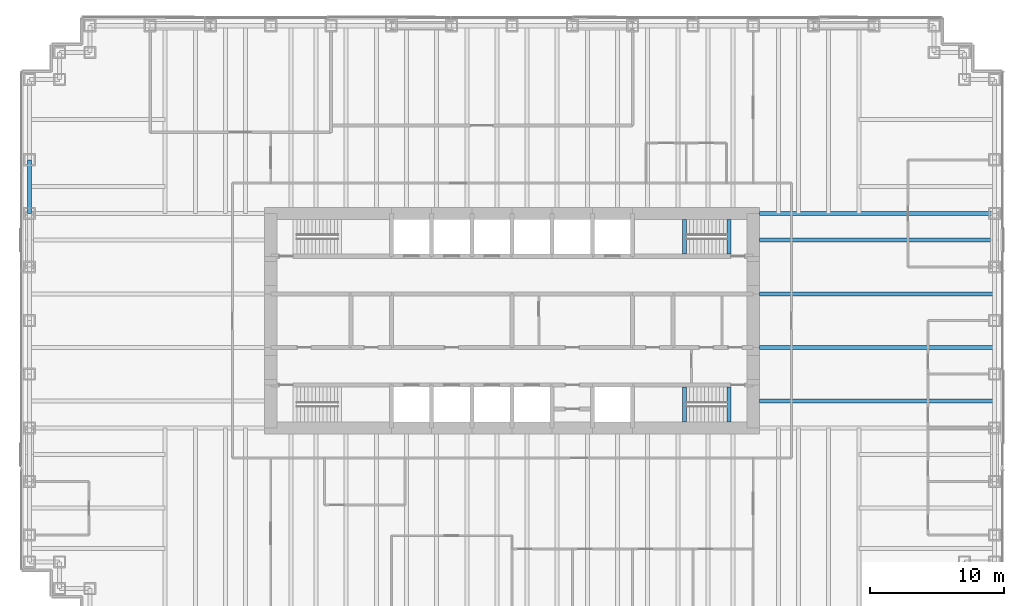
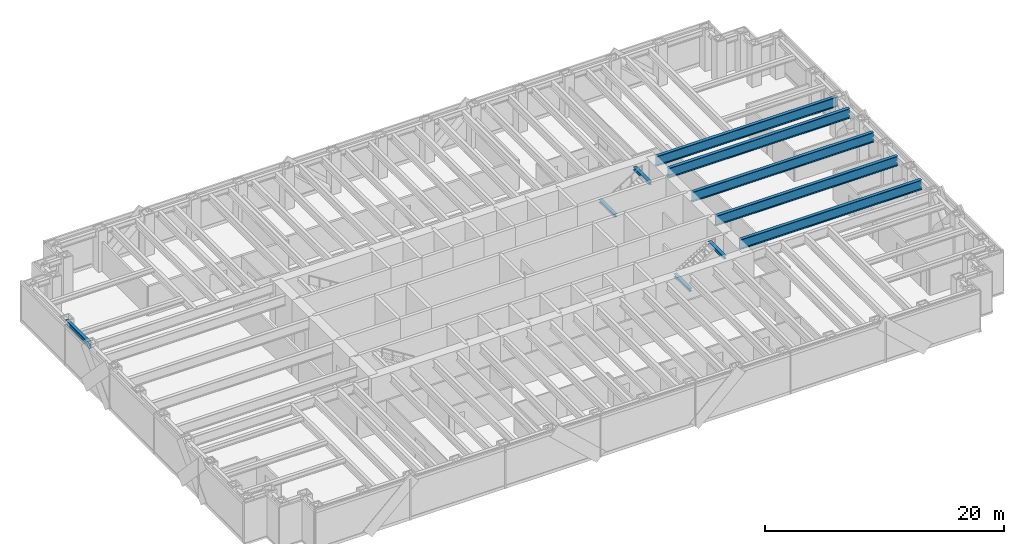
# One storey, part 5 of 17: 10 beams.
"""IFC4 building model written with IfcOpenShell, lengths in metres."""

from ifc_helpers import new_model, si_unit, direction, frame, origin, origin_2d, place, context, subcontext, project, spatial, i_section, extrude, material, material_profile, profile_set, type_object, element, save


model = new_model("IFC4")

# Units and contexts
model_context = context("Model", 3, precision=1e-05, world=origin(), true_north=direction((0.0, 1.0)))
body_context = subcontext(model_context, "Body", "Model", "MODEL_VIEW")
ifc_project = project(units=[si_unit("LENGTHUNIT", "METRE"), si_unit("AREAUNIT", "SQUARE_METRE"), si_unit("VOLUMEUNIT", "CUBIC_METRE"), si_unit("PLANEANGLEUNIT", "RADIAN"), si_unit("MASSUNIT", "GRAM", prefix="KILO")], contexts=[model_context])

# Site, building, storey
site_placement = place(None, origin())
site = spatial("IfcSite", under=ifc_project, at=site_placement, CompositionType="ELEMENT")
building_placement = place(site_placement, origin())
building = spatial("IfcBuilding", under=site, at=building_placement, Name="Rheinbord Bourse Tower", CompositionType="ELEMENT")
storey_placement = place(building_placement, frame((0.0, 0.0, 129.89990234375)))
storey = spatial("IfcBuildingStorey", under=building, at=storey_placement, Name="L28", CompositionType="ELEMENT", Elevation=129.89990234375)

# Beams
ifc_material_1 = material(Name="Steel S460", Category="steel")
ifc_material_profile_1 = material_profile(ifc_material_1, i_section(OverallWidth=0.302001953125, OverallDepth=1.008056640625, WebThickness=0.02099609375, FlangeThickness=0.0400390625, at=origin_2d()), Name="HEM 1000")
ifc_profile_set_1 = profile_set([ifc_material_profile_1], Name="Steel S460")
beam_type_1 = type_object("IfcBeamType", Name="END BEAM HEM 1000", PredefinedType="BEAM", material=ifc_profile_set_1)
for number, where, z_axis, x_axis, name in (
    (1, (54.449951171875, 18.0, 3.5361328125), (1.0, 0.0, 0.0), (0.0, 1.0, 0.0), "End beam east 18 L29"),
    (2, (54.449951171875, 22.0, 3.5361328125), (1.0, 0.0, 0.0), (0.0, 1.0, 0.0), "End beam east 22 L29"),
    (3, (54.449951171875, 26.0, 3.5361328125), (1.0, 0.0, 0.0), (0.0, 1.0, 0.0), "End beam east 26 L29"),
    (4, (54.449951171875, 30.0, 3.5361328125), (1.0, 0.0, 0.0), (0.0, 1.0, 0.0), "End beam east 30 L29"),
):
    element("IfcBeam", number, at=place(storey_placement, frame(where, z_axis=z_axis, x_axis=x_axis)), inside=storey, type_object=beam_type_1, Name=name, PredefinedType="BEAM", context=body_context, shape_type="SweptSolid", body=[
        extrude(i_section(OverallWidth=0.302001953125, OverallDepth=1.008056640625, WebThickness=0.02099609375, FlangeThickness=0.0400390625, at=origin_2d()), origin(), (0.0, 0.0, 1.0), 17.550048828125),
    ])
ifc_material_2 = material(Name="Steel S460", Category="steel")
ifc_material_profile_2 = material_profile(ifc_material_2, i_section(OverallWidth=0.302001953125, OverallDepth=1.008056640625, WebThickness=0.02099609375, FlangeThickness=0.0400390625, at=origin_2d()), Name="HEM 1000")
ifc_profile_set_2 = profile_set([ifc_material_profile_2], Name="Steel S460")
beam_type_2 = type_object("IfcBeamType", Name="GIRDER HEM 1000", PredefinedType="BEAM", material=ifc_profile_set_2)
beam_1_placement = place(storey_placement, frame((54.449951171875, 32.0, 3.5361328125), z_axis=(1.0, 0.0, 0.0), x_axis=(0.0, 1.0, 0.0)))
element("IfcBeam", 5, at=beam_1_placement, inside=storey, type_object=beam_type_2, Name="Girder east 32 L29", PredefinedType="BEAM", context=body_context, shape_type="SweptSolid", body=[
    extrude(i_section(OverallWidth=0.302001953125, OverallDepth=1.008056640625, WebThickness=0.02099609375, FlangeThickness=0.0400390625, at=origin_2d()), origin(), (0.0, 0.0, 1.0), 17.550048828125),
])
ifc_material_3 = material(Name="Steel S460", Category="steel")
ifc_material_profile_3 = material_profile(ifc_material_3, i_section(OverallWidth=0.300048828125, OverallDepth=0.300048828125, WebThickness=0.010986328125, FlangeThickness=0.01904296875, at=origin_2d()), Name="HEB 300")
ifc_profile_set_3 = profile_set([ifc_material_profile_3], Name="Steel S460")
beam_type_3 = type_object("IfcBeamType", Name="LANDING TRIMMER HEB 300", PredefinedType="BEAM", material=ifc_profile_set_3)
for number, where, z_axis, x_axis, name in (
    (6, (48.8701171875, 16.449951171875, 1.75), (0.0, 1.0, 0.0), (-1.0, 0.0, 0.0), "Landing trimmer ST3 L28"),
    (7, (52.199951171875, 16.449951171875, 3.89013671875), (0.0, 1.0, 0.0), (-1.0, 0.0, 0.0), "Well trimmer ST3 under L29"),
    (8, (48.8701171875, 28.949951171875, 1.75), (0.0, 1.0, 0.0), (-1.0, 0.0, 0.0), "Landing trimmer ST4 L28"),
    (9, (52.199951171875, 28.949951171875, 3.89013671875), (0.0, 1.0, 0.0), (-1.0, 0.0, 0.0), "Well trimmer ST4 under L29"),
):
    element("IfcBeam", number, at=place(storey_placement, frame(where, z_axis=z_axis, x_axis=x_axis)), inside=storey, type_object=beam_type_3, Name=name, PredefinedType="BEAM", context=body_context, shape_type="SweptSolid", body=[
        extrude(i_section(OverallWidth=0.300048828125, OverallDepth=0.300048828125, WebThickness=0.010986328125, FlangeThickness=0.01904296875, at=origin_2d()), origin(), (0.0, 0.0, 1.0), 2.60009765625),
    ])
ifc_material_4 = material(Name="Steel S460", Category="steel")
ifc_material_profile_4 = material_profile(ifc_material_4, i_section(OverallWidth=0.305908203125, OverallDepth=0.572021484375, WebThickness=0.02099609375, FlangeThickness=0.0400390625, at=origin_2d()), Name="HEM 550")
ifc_profile_set_4 = profile_set([ifc_material_profile_4], Name="Steel S460")
beam_type_4 = type_object("IfcBeamType", Name="SPANDREL HEM 550", PredefinedType="SPANDREL", material=ifc_profile_set_4)
beam_2_placement = place(storey_placement, frame((0.0, 36.0, 3.754150390625), z_axis=(0.0, -1.0, 0.0), x_axis=(1.0, 0.0, 0.0)))
element("IfcBeam", 10, at=beam_2_placement, inside=storey, type_object=beam_type_4, Name="Spandrel W-36-W-32 under L29", PredefinedType="SPANDREL", context=body_context, shape_type="SweptSolid", body=[
    extrude(i_section(OverallWidth=0.305908203125, OverallDepth=0.572021484375, WebThickness=0.02099609375, FlangeThickness=0.0400390625, at=origin_2d()), origin(), (0.0, 0.0, 1.0), 4.0),
])

save(model, "model.ifc")
